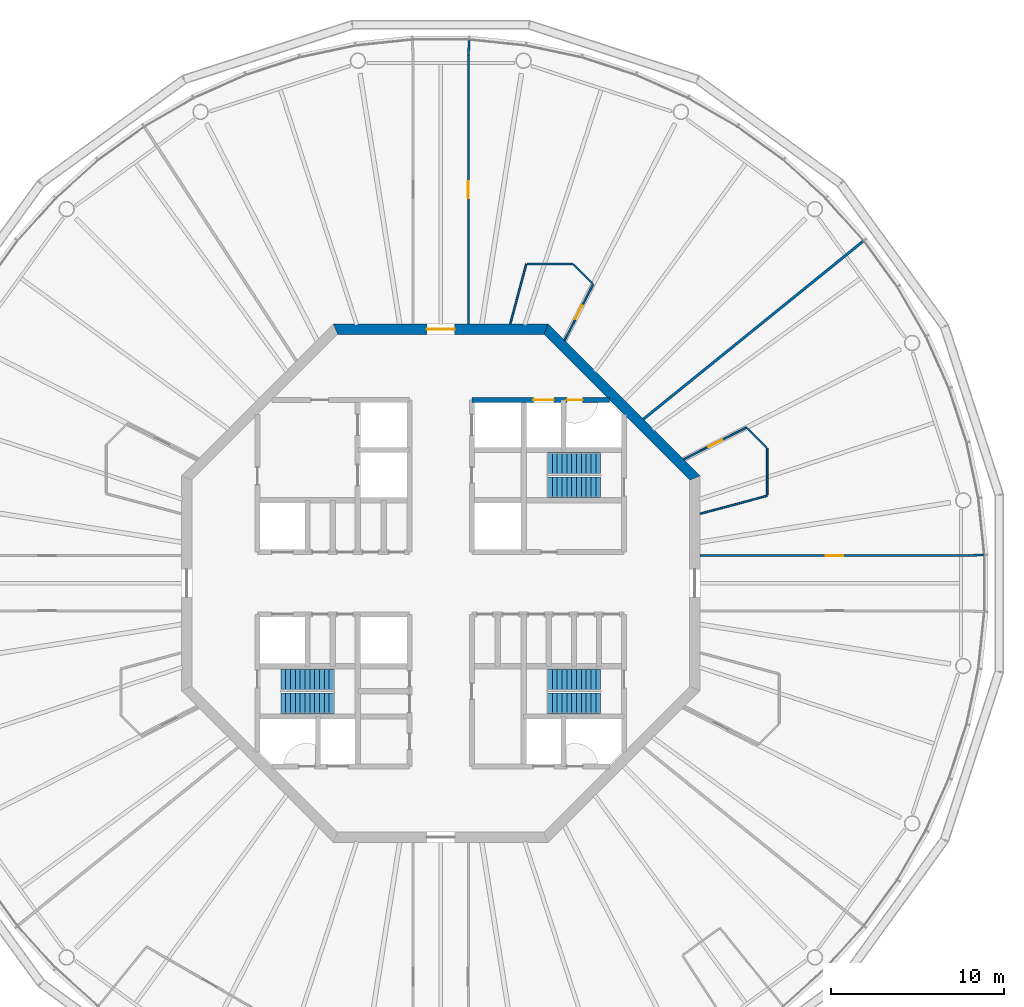
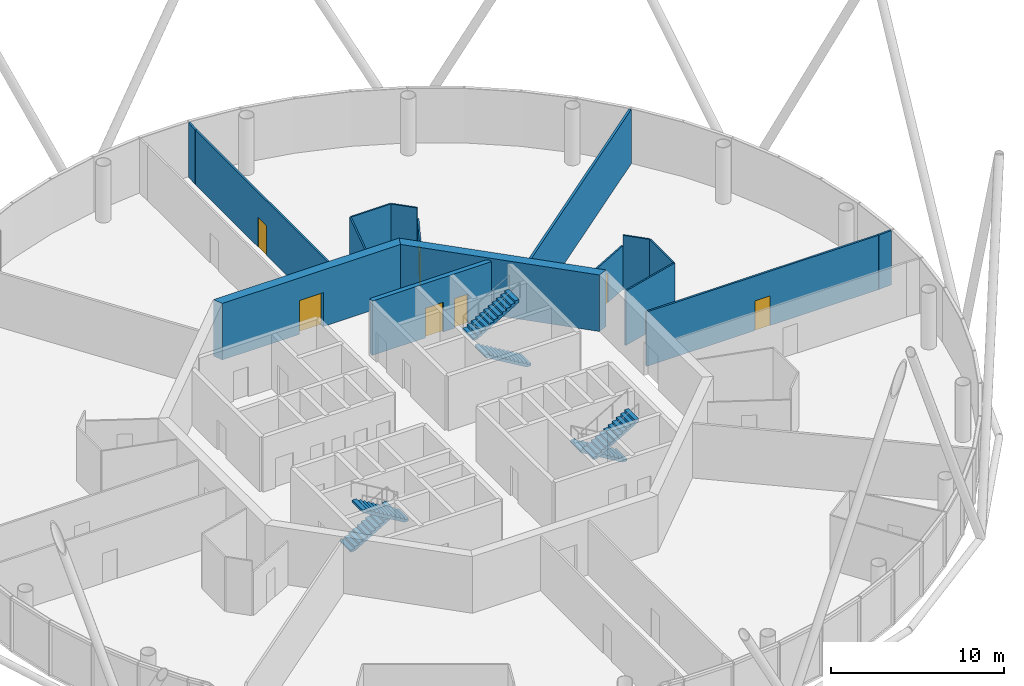
# One storey, part 6 of 13: 16 walls, 7 doors, 6 stair flights, 7 openings, 3 elements without a shape of their own.
"""IFC4 building model written with IfcOpenShell, lengths in metres."""

from ifc_helpers import new_model, si_unit, direction, frame, frame_2d, origin, place, context, subcontext, project, spatial, polyline, rectangle, outline, extrude, material, layer, layer_set, type_object, element, fill, aggregate, save


model = new_model("IFC4")

# Units and contexts
model_context = context("Model", 3, precision=1e-05, world=origin(), true_north=direction((0.0, 1.0)))
body_context = subcontext(model_context, "Body", "Model", "MODEL_VIEW")
ifc_project = project(units=[si_unit("LENGTHUNIT", "METRE"), si_unit("AREAUNIT", "SQUARE_METRE"), si_unit("VOLUMEUNIT", "CUBIC_METRE"), si_unit("PLANEANGLEUNIT", "RADIAN"), si_unit("MASSUNIT", "GRAM", prefix="KILO")], contexts=[model_context])

# Site, building, storey
site_placement = place(None, origin())
site = spatial("IfcSite", under=ifc_project, at=site_placement, CompositionType="ELEMENT")
building_placement = place(site_placement, origin())
building = spatial("IfcBuilding", under=site, at=building_placement, Name="Entoto Ring Tower", CompositionType="ELEMENT")
storey_placement = place(building_placement, frame((0.0, 0.0, 336.0)))
storey = spatial("IfcBuildingStorey", under=building, at=storey_placement, Name="L77", CompositionType="ELEMENT", Elevation=336.0)

# Wall, openings, doors
ifc_material_1 = material(Name="Concrete C40/50", Category="concrete")
ifc_layer_1 = layer(ifc_material_1, 0.300048828125)
ifc_layer_set_1 = layer_set([ifc_layer_1], Name="Concrete C40/50")
wall_type_1 = type_object("IfcWallType", Name="Core enclosure wall 300 mm reinforced concrete", PredefinedType="SOLIDWALL", material=ifc_layer_set_1)
wall_1_placement = place(storey_placement, frame((91.800048828125, 90.60009765625, 0.0), z_axis=(0.0, 0.0, 1.0), x_axis=(1.0, 0.0, 0.0)))
wall_1 = element("IfcWall", 1, at=wall_1_placement, inside=storey, type_object=wall_type_1, Name="wall-L77-041", PredefinedType="SOLIDWALL", context=body_context, shape_type="SweptSolid", body=[
    extrude(rectangle(XDim=7.964599609375, YDim=0.300048828125, at=frame_2d((3.982421875, 0.0))), origin(), (0.0, 0.0, 1.0), 3.85009765625),
])
opening_1_placement = place(wall_1_placement, frame((3.550048828125, 0.0, 0.0)))
opening_1 = element("IfcOpeningElement", 2, at=opening_1_placement, cuts=wall_1, Name="Opening LD", PredefinedType="OPENING", context=body_context, shape_type="SweptSolid", body=[
    extrude(rectangle(XDim=1.199951171875, YDim=2.10009765625, at=frame_2d((0.60009765625, 1.050048828125))), frame((0.0, 0.16015625, 0.0), z_axis=(0.0, -1.0, 0.0), x_axis=(1.0, 0.0, 0.0)), (0.0, 0.0, 1.0), 0.320068359375),
])
opening_2_placement = place(wall_1_placement, frame((5.5, 0.0, 0.0)))
opening_2 = element("IfcOpeningElement", 3, at=opening_2_placement, cuts=wall_1, Name="Opening K-32", PredefinedType="OPENING", context=body_context, shape_type="SweptSolid", body=[
    extrude(rectangle(XDim=0.89990234375, YDim=2.10009765625, at=frame_2d((0.449951171875, 1.050048828125))), frame((0.0, 0.16015625, 0.0), z_axis=(0.0, -1.0, 0.0), x_axis=(1.0, 0.0, 0.0)), (0.0, 0.0, 1.0), 0.320068359375),
])
ifc_material_2 = material(Name="Steel and glass door leaf", Category="steel")
ifc_layer_2 = layer(ifc_material_2, 0.050048828125)
ifc_layer_set_2 = layer_set([ifc_layer_2], Name="Steel and glass door leaf")
door_type_1 = type_object("IfcDoorType", Name="Landing door 1200 x 2100 sliding", OperationType="DOUBLE_DOOR_SLIDING", PredefinedType="DOOR", material=ifc_layer_set_2)
door_1_placement = place(opening_1_placement, origin())
door_1 = element("IfcDoor", 4, at=door_1_placement, inside=storey, type_object=door_type_1, Name="Landing door LB1-HR", OperationType="SLIDING_TO_RIGHT", OverallHeight=2.10009765625, OverallWidth=1.199951171875, PredefinedType="DOOR", context=body_context, shape_type="SweptSolid", body=[
    extrude(rectangle(XDim=1.199951171875, YDim=2.10009765625, at=frame_2d((0.60009765625, 1.050048828125))), frame((0.0, 0.02490234375, 0.0), z_axis=(0.0, -1.0, 0.0), x_axis=(1.0, 0.0, 0.0)), (0.0, 0.0, 1.0), 0.050048828125),
])
fill(opening_1, door_1)
ifc_material_3 = material(Name="Steel door leaf, fire rated", Category="steel")
ifc_layer_3 = layer(ifc_material_3, 0.050048828125)
ifc_layer_set_3 = layer_set([ifc_layer_3], Name="Steel door leaf, fire rated")
door_type_2 = type_object("IfcDoorType", Name="Riser door FD60 900 x 2100 single leaf", OperationType="NOTDEFINED", PredefinedType="DOOR", material=ifc_layer_set_3)
door_2_placement = place(opening_2_placement, frame((0.89990234375, 0.0, 0.0), z_axis=(0.0, 0.0, 1.0), x_axis=(-1.0, 0.0, 0.0)))
door_2 = element("IfcDoor", 5, at=door_2_placement, inside=storey, type_object=door_type_2, Name="Door K-32", OperationType="SINGLE_SWING_RIGHT", OverallHeight=2.10009765625, OverallWidth=0.89990234375, PredefinedType="DOOR", context=body_context, shape_type="SweptSolid", body=[
    extrude(rectangle(XDim=0.89990234375, YDim=2.10009765625, at=frame_2d((0.449951171875, 1.050048828125))), frame((0.0, 0.02490234375, 0.0), z_axis=(0.0, -1.0, 0.0), x_axis=(1.0, 0.0, 0.0)), (0.0, 0.0, 1.0), 0.050048828125),
])
fill(opening_2, door_2)

# Wall
ifc_material_4 = material(Name="Concrete C40/50", Category="concrete")
ifc_layer_4 = layer(ifc_material_4, 0.60009765625)
ifc_layer_set_4 = layer_set([ifc_layer_4], Name="Concrete C40/50")
wall_type_2 = type_object("IfcWallType", Name="Core shear wall 600 mm reinforced concrete C40/50", PredefinedType="SHEAR", material=ifc_layer_set_4)
wall_2_placement = place(storey_placement, frame((104.699951171875, 86.0888671875, 0.0), z_axis=(0.0, 0.0, 1.0), x_axis=(-0.707106781187, 0.707106781187, 0.0)))
element("IfcWall", 6, at=wall_2_placement, inside=storey, type_object=wall_type_2, Name="wall-L77-core-1", PredefinedType="SHEAR", context=body_context, shape_type="SweptSolid", body=[
    extrude(outline(polyline([(-0.124267578125, -0.300048828125), (12.30224609375, -0.300048828125), (12.0537109375, 0.300048828125), (0.124267578125, 0.300048828125), (-0.124267578125, -0.300048828125)])), origin(), (0.0, 0.0, 1.0), 4.0),
])

# Wall, opening, door
wall_3_placement = place(storey_placement, frame((96.0888671875, 94.699951171875, 0.0), z_axis=(0.0, 0.0, 1.0), x_axis=(-1.0, 0.0, 0.0)))
wall_3 = element("IfcWall", 7, at=wall_3_placement, inside=storey, type_object=wall_type_2, Name="wall-L77-core-2", PredefinedType="SHEAR", context=body_context, shape_type="SweptSolid", body=[
    extrude(outline(polyline([(-0.124267578125, -0.300048828125), (12.302001953125, -0.300048828125), (12.053466796875, 0.300048828125), (0.124267578125, 0.300048828125), (-0.124267578125, -0.300048828125)])), origin(), (0.0, 0.0, 1.0), 4.0),
])
opening_3_placement = place(wall_3_placement, frame((5.288818359375, 0.0, 0.0)))
opening_3 = element("IfcOpeningElement", 8, at=opening_3_placement, cuts=wall_3, Name="Opening K-02", PredefinedType="OPENING", context=body_context, shape_type="SweptSolid", body=[
    extrude(rectangle(XDim=1.60009765625, YDim=2.39990234375, at=frame_2d((0.800048828125, 1.199951171875))), frame((0.0, 0.31005859375, 0.0), z_axis=(0.0, -1.0, 0.0), x_axis=(1.0, 0.0, 0.0)), (0.0, 0.0, 1.0), 0.6201171875),
])
ifc_material_5 = material(Name="Steel door leaf, fire rated", Category="steel")
ifc_layer_5 = layer(ifc_material_5, 0.050048828125)
ifc_layer_set_5 = layer_set([ifc_layer_5], Name="Steel door leaf, fire rated")
door_type_3 = type_object("IfcDoorType", Name="Entrance door FD60 1600 x 2400 double leaf", OperationType="DOUBLE_DOOR_SINGLE_SWING", PredefinedType="DOOR", material=ifc_layer_set_5)
door_3_placement = place(opening_3_placement, origin())
door_3 = element("IfcDoor", 9, at=door_3_placement, inside=storey, type_object=door_type_3, Name="Entrance door K-02", OperationType="DOUBLE_DOOR_SINGLE_SWING", OverallHeight=2.39990234375, OverallWidth=1.60009765625, PredefinedType="DOOR", context=body_context, shape_type="SweptSolid", body=[
    extrude(rectangle(XDim=1.60009765625, YDim=2.39990234375, at=frame_2d((0.800048828125, 1.199951171875))), frame((0.0, 0.02490234375, 0.0), z_axis=(0.0, -1.0, 0.0), x_axis=(1.0, 0.0, 0.0)), (0.0, 0.0, 1.0), 0.050048828125),
])
fill(opening_3, door_3)

ifc_material_6 = material(Name="Fire-resisting plasterboard on steel studs", Category="steel")
ifc_layer_6 = layer(ifc_material_6, 0.125)
ifc_layer_set_6 = layer_set([ifc_layer_6], Name="Fire-resisting plasterboard on steel studs")
wall_type_3 = type_object("IfcWallType", Name="Corridor wall 125 mm one-hour plasterboard on steel studs", PredefinedType="PARTITIONING", material=ifc_layer_set_6)
wall_4_placement = place(storey_placement, frame((91.60009765625, 95.0, 0.0), z_axis=(0.0, 0.0, 1.0), x_axis=(0.0, 1.0, 0.0)))
wall_4 = element("IfcWall", 10, at=wall_4_placement, inside=storey, type_object=wall_type_3, Name="partition-L77-006", PredefinedType="PARTITIONING", context=body_context, shape_type="SweptSolid", body=[
    extrude(rectangle(XDim=15.52978515625, YDim=0.125, at=frame_2d((7.764892578125, 0.0))), origin(), (0.0, 0.0, 1.0), 3.85009765625),
])
opening_4_placement = place(wall_4_placement, frame((7.264892578125, 0.0, 0.0)))
opening_4 = element("IfcOpeningElement", 11, at=opening_4_placement, cuts=wall_4, Name="Opening A34-D03", PredefinedType="OPENING", context=body_context, shape_type="SweptSolid", body=[
    extrude(rectangle(XDim=1.0, YDim=2.10009765625, at=frame_2d((0.5, 1.050048828125))), frame((0.0, 0.072509765625, 0.0), z_axis=(0.0, -1.0, 0.0), x_axis=(1.0, 0.0, 0.0)), (0.0, 0.0, 1.0), 0.14501953125),
])
ifc_material_7 = material(Name="Fire-resisting timber door set", Category="wood")
door_type_4 = type_object("IfcDoorType", Name="Door 1000 x 2100 single leaf FD30S fire door", OperationType="NOTDEFINED", PredefinedType="DOOR", material=ifc_material_7)
door_4_placement = place(opening_4_placement, frame((1.0, 0.0, 0.0), z_axis=(0.0, 0.0, 1.0), x_axis=(-1.0, 0.0, 0.0)))
door_4 = element("IfcDoor", 12, at=door_4_placement, inside=storey, type_object=door_type_4, Name="Door A34-D03", OperationType="SINGLE_SWING_RIGHT", OverallHeight=2.10009765625, OverallWidth=1.0, PredefinedType="DOOR", context=body_context, shape_type="SweptSolid", body=[
    extrude(rectangle(XDim=1.0, YDim=2.10009765625, at=frame_2d((0.5, 1.050048828125))), frame((0.0, 0.02490234375, 0.0), z_axis=(0.0, -1.0, 0.0), x_axis=(1.0, 0.0, 0.0)), (0.0, 0.0, 1.0), 0.050048828125),
])
fill(opening_4, door_4)

wall_5_placement = place(storey_placement, frame((105.0, 81.60009765625, 0.0), z_axis=(0.0, 0.0, 1.0), x_axis=(1.0, 0.0, 0.0)))
wall_5 = element("IfcWall", 13, at=wall_5_placement, inside=storey, type_object=wall_type_3, Name="partition-L77-008", PredefinedType="PARTITIONING", context=body_context, shape_type="SweptSolid", body=[
    extrude(rectangle(XDim=15.52978515625, YDim=0.125, at=frame_2d((7.764892578125, 0.0))), origin(), (0.0, 0.0, 1.0), 3.85009765625),
])
opening_5_placement = place(wall_5_placement, frame((7.264892578125, 0.0, 0.0)))
opening_5 = element("IfcOpeningElement", 14, at=opening_5_placement, cuts=wall_5, Name="Opening A34-D01", PredefinedType="OPENING", context=body_context, shape_type="SweptSolid", body=[
    extrude(rectangle(XDim=1.0, YDim=2.10009765625, at=frame_2d((0.5, 1.050048828125))), frame((0.0, 0.072509765625, 0.0), z_axis=(0.0, -1.0, 0.0), x_axis=(1.0, 0.0, 0.0)), (0.0, 0.0, 1.0), 0.14501953125),
])
door_5_placement = place(opening_5_placement, origin())
door_5 = element("IfcDoor", 15, at=door_5_placement, inside=storey, type_object=door_type_4, Name="Door A34-D01", OperationType="SINGLE_SWING_LEFT", OverallHeight=2.10009765625, OverallWidth=1.0, PredefinedType="DOOR", context=body_context, shape_type="SweptSolid", body=[
    extrude(rectangle(XDim=1.0, YDim=2.10009765625, at=frame_2d((0.5, 1.050048828125))), frame((0.0, 0.02490234375, 0.0), z_axis=(0.0, -1.0, 0.0), x_axis=(1.0, 0.0, 0.0)), (0.0, 0.0, 1.0), 0.050048828125),
])
fill(opening_5, door_5)

# Walls
for number, where, z_axis, x_axis, name in (
    (16, (91.60009765625, 110.533203125, 0.0), (0.0, 0.0, 1.0), (0.052499574911, 0.998620946423, 0.0), "partition-L77-013"),
    (17, (120.533203125, 81.60009765625, 0.0), (0.0, 0.0, 1.0), (0.998620946423, 0.052499574911, 0.0), "partition-L77-015"),
):
    element("IfcWall", number, at=place(storey_placement, frame(where, z_axis=z_axis, x_axis=x_axis)), inside=storey, type_object=wall_type_3, Name=name, PredefinedType="PARTITIONING", context=body_context, shape_type="SweptSolid", body=[
        extrude(rectangle(XDim=0.864990234375, YDim=0.125, at=frame_2d((0.4326171875, 0.0))), origin(), (0.0, 0.0, 1.0), 3.85009765625),
    ])
ifc_material_8 = material(Name="Plasterboard on steel studs", Category="steel")
ifc_layer_7 = layer(ifc_material_8, 0.10009765625)
ifc_layer_set_7 = layer_set([ifc_layer_7], Name="Plasterboard on steel studs")
wall_type_4 = type_object("IfcWallType", Name="Partition 100 mm plasterboard on steel studs", PredefinedType="PARTITIONING", material=ifc_layer_set_7)
wall_6_placement = place(storey_placement, frame((105.0, 84.019287109375, 0.0), z_axis=(0.0, 0.0, 1.0), x_axis=(0.965929603202, 0.258804949058, 0.0)))
element("IfcWall", 18, at=wall_6_placement, inside=storey, type_object=wall_type_4, Name="partition-L77-031", PredefinedType="PARTITIONING", context=body_context, shape_type="SweptSolid", body=[
    extrude(rectangle(XDim=4.016845703125, YDim=0.10009765625, at=frame_2d((2.00830078125, 0.0))), origin(), (0.0, 0.0, 1.0), 3.85009765625),
])
wall_7_placement = place(storey_placement, frame((94.019287109375, 95.0, 0.0), z_axis=(0.0, 0.0, 1.0), x_axis=(0.258795137252, 0.965932232061, 0.0)))
element("IfcWall", 19, at=wall_7_placement, inside=storey, type_object=wall_type_4, Name="partition-L77-035", PredefinedType="PARTITIONING", context=body_context, shape_type="SweptSolid", body=[
    extrude(rectangle(XDim=3.58203125, YDim=0.10009765625, at=frame_2d((1.791015625, 0.0))), origin(), (0.0, 0.0, 1.0), 3.85009765625),
])
wall_8_placement = place(storey_placement, frame((108.8798828125, 85.107177734375, 0.0), z_axis=(0.0, 0.0, 1.0), x_axis=(0.0, 1.0, 0.0)))
element("IfcWall", 20, at=wall_8_placement, inside=storey, type_object=wall_type_4, Name="partition-L77-038", PredefinedType="PARTITIONING", context=body_context, shape_type="SweptSolid", body=[
    extrude(rectangle(XDim=2.713134765625, YDim=0.10009765625, at=frame_2d((1.3564453125, 0.0))), origin(), (0.0, 0.0, 1.0), 3.85009765625),
])
wall_9_placement = place(storey_placement, frame((94.994384765625, 98.4599609375, 0.0), z_axis=(0.0, 0.0, 1.0), x_axis=(1.0, 0.0, 0.0)))
element("IfcWall", 21, at=wall_9_placement, inside=storey, type_object=wall_type_4, Name="partition-L77-040", PredefinedType="PARTITIONING", context=body_context, shape_type="SweptSolid", body=[
    extrude(rectangle(XDim=2.652099609375, YDim=0.10009765625, at=frame_2d((1.326171875, 0.0))), origin(), (0.0, 0.0, 1.0), 3.85009765625),
])
wall_10_placement = place(storey_placement, frame((108.855224609375, 87.84521484375, 0.0), z_axis=(0.0, 0.0, 1.0), x_axis=(-0.707106781187, 0.707106781187, 0.0)))
element("IfcWall", 22, at=wall_10_placement, inside=storey, type_object=wall_type_4, Name="partition-L77-044", PredefinedType="PARTITIONING", context=body_context, shape_type="SweptSolid", body=[
    extrude(rectangle(XDim=1.603515625, YDim=0.10009765625, at=frame_2d((0.8017578125, 0.0))), origin(), (0.0, 0.0, 1.0), 3.85009765625),
])
wall_11_placement = place(storey_placement, frame((98.7783203125, 97.327880859375, 0.0), z_axis=(0.0, 0.0, 1.0), x_axis=(-0.707028824428, 0.707184729351, 0.0)))
element("IfcWall", 23, at=wall_11_placement, inside=storey, type_object=wall_type_4, Name="partition-L77-046", PredefinedType="PARTITIONING", context=body_context, shape_type="SweptSolid", body=[
    extrude(rectangle(XDim=1.56591796875, YDim=0.10009765625, at=frame_2d((0.782958984375, 0.0))), origin(), (0.0, 0.0, 1.0), 3.85009765625),
])

# Wall, opening, door
ifc_material_9 = material(Name="Plasterboard on steel studs", Category="steel")
ifc_layer_8 = layer(ifc_material_9, 0.10009765625)
ifc_layer_set_8 = layer_set([ifc_layer_8], Name="Plasterboard on steel studs")
wall_type_5 = type_object("IfcWallType", Name="Partition 100 mm plasterboard on steel studs, 3097 mm high", PredefinedType="PARTITIONING", material=ifc_layer_set_8)
wall_12_placement = place(storey_placement, frame((104.052978515625, 87.160400390625, 0.0), z_axis=(0.0, 0.0, 1.0), x_axis=(0.891014377336, 0.45397508674, 0.0)))
wall_12 = element("IfcWall", 24, at=wall_12_placement, inside=storey, type_object=wall_type_5, Name="partition-L77-030", PredefinedType="PARTITIONING", context=body_context, shape_type="SweptSolid", body=[
    extrude(rectangle(XDim=4.07958984375, YDim=0.10009765625, at=frame_2d((2.039794921875, 0.0))), origin(), (0.0, 0.0, 1.0), 3.096923828125),
])
opening_6_placement = place(wall_12_placement, frame((1.58984375, 0.0, 0.0)))
opening_6 = element("IfcOpeningElement", 25, at=opening_6_placement, cuts=wall_12, Name="Opening A34-D02", PredefinedType="OPENING", context=body_context, shape_type="SweptSolid", body=[
    extrude(rectangle(XDim=0.89990234375, YDim=2.10009765625, at=frame_2d((0.449951171875, 1.050048828125))), frame((0.0, 0.06005859375, 0.0), z_axis=(0.0, -1.0, 0.0), x_axis=(1.0, 0.0, 0.0)), (0.0, 0.0, 1.0), 0.1201171875),
])
ifc_material_10 = material(Name="Veneered timber door leaf in timber frame", Category="wood")
door_type_5 = type_object("IfcDoorType", Name="Door 900 x 2100 single leaf timber veneer", OperationType="NOTDEFINED", PredefinedType="DOOR", material=ifc_material_10)
door_6_placement = place(opening_6_placement, frame((0.89990234375, 0.0, 0.0), z_axis=(0.0, 0.0, 1.0), x_axis=(-1.0, 0.0, 0.0)))
door_6 = element("IfcDoor", 26, at=door_6_placement, inside=storey, type_object=door_type_5, Name="Door A34-D02", OperationType="SINGLE_SWING_RIGHT", OverallHeight=2.10009765625, OverallWidth=0.89990234375, PredefinedType="DOOR", context=body_context, shape_type="SweptSolid", body=[
    extrude(rectangle(XDim=0.89990234375, YDim=2.10009765625, at=frame_2d((0.449951171875, 1.050048828125))), frame((0.0, 0.02490234375, 0.0), z_axis=(0.0, -1.0, 0.0), x_axis=(1.0, 0.0, 0.0)), (0.0, 0.0, 1.0), 0.050048828125),
])
fill(opening_6, door_6)

wall_13_placement = place(storey_placement, frame((97.160400390625, 94.052978515625, 0.0), z_axis=(0.0, 0.0, 1.0), x_axis=(0.453992130401, 0.891005693323, 0.0)))
wall_13 = element("IfcWall", 27, at=wall_13_placement, inside=storey, type_object=wall_type_5, Name="partition-L77-033", PredefinedType="PARTITIONING", context=body_context, shape_type="SweptSolid", body=[
    extrude(rectangle(XDim=3.637939453125, YDim=0.10009765625, at=frame_2d((1.81884765625, 0.0))), origin(), (0.0, 0.0, 1.0), 3.096923828125),
])
opening_7_placement = place(wall_13_placement, frame((1.368896484375, 0.0, 0.0)))
opening_7 = element("IfcOpeningElement", 28, at=opening_7_placement, cuts=wall_13, Name="Opening A34-D04", PredefinedType="OPENING", context=body_context, shape_type="SweptSolid", body=[
    extrude(rectangle(XDim=0.89990234375, YDim=2.10009765625, at=frame_2d((0.449951171875, 1.050048828125))), frame((0.0, 0.06005859375, 0.0), z_axis=(0.0, -1.0, 0.0), x_axis=(1.0, 0.0, 0.0)), (0.0, 0.0, 1.0), 0.1201171875),
])
door_7_placement = place(opening_7_placement, origin())
door_7 = element("IfcDoor", 29, at=door_7_placement, inside=storey, type_object=door_type_5, Name="Door A34-D04", OperationType="SINGLE_SWING_LEFT", OverallHeight=2.10009765625, OverallWidth=0.89990234375, PredefinedType="DOOR", context=body_context, shape_type="SweptSolid", body=[
    extrude(rectangle(XDim=0.89990234375, YDim=2.10009765625, at=frame_2d((0.449951171875, 1.050048828125))), frame((0.0, 0.02490234375, 0.0), z_axis=(0.0, -1.0, 0.0), x_axis=(1.0, 0.0, 0.0)), (0.0, 0.0, 1.0), 0.050048828125),
])
fill(opening_7, door_7)

# Wall
ifc_material_11 = material(Name="Fire-resisting acoustic plasterboard on steel studs", Category="steel")
ifc_layer_9 = layer(ifc_material_11, 0.14990234375)
ifc_layer_set_9 = layer_set([ifc_layer_9], Name="Fire-resisting acoustic plasterboard on steel studs")
wall_type_6 = type_object("IfcWallType", Name="Party wall 150 mm one-hour acoustic plasterboard on steel studs", PredefinedType="PARTITIONING", material=ifc_layer_set_9)
wall_14_placement = place(storey_placement, frame((101.721435546875, 89.49169921875, 0.0), z_axis=(0.0, 0.0, 1.0), x_axis=(0.777143368827, 0.629323592667, 0.0)))
element("IfcWall", 30, at=wall_14_placement, inside=storey, type_object=wall_type_6, Name="partition-L77-018", PredefinedType="PARTITIONING", context=body_context, shape_type="SweptSolid", body=[
    extrude(rectangle(XDim=16.357666015625, YDim=0.14990234375, at=frame_2d((8.1787109375, 0.0))), origin(), (0.0, 0.0, 1.0), 3.85009765625),
])

# Stair, stair flights
ifc_material_12 = material(Name="Concrete C40/50", Category="concrete")
stair_type = type_object("IfcStairType", Name="Exit stair 1200 mm dog-leg reinforced concrete", PredefinedType="HALF_TURN_STAIR", material=ifc_material_12)
stair_1_placement = place(storey_placement, origin())
stair_1 = element("IfcStair", 31, at=stair_1_placement, inside=storey, type_object=stair_type, Name="Exit stair 1", PredefinedType="HALF_TURN_STAIR")
ifc_material_13 = material(Name="Concrete C40/50", Category="concrete")
stair_flight_type = type_object("IfcStairFlightType", Name="Stair flight 1200 mm reinforced concrete", PredefinedType="STRAIGHT", material=ifc_material_13)
stair_flight_1_placement = place(storey_placement, frame((99.25, 85.550048828125, 0.0), z_axis=(0.0, 0.0, 1.0), x_axis=(-1.0, 0.0, 0.0)))
stair_flight_1 = element("IfcStairFlight", 32, at=stair_flight_1_placement, type_object=stair_flight_type, Name="ST1 flight 1", NumberOfRisers=12, NumberOfTreads=11, PredefinedType="STRAIGHT", RiserHeight=0.166666667, TreadLength=0.28, context=body_context, shape_type="SweptSolid", body=[
    extrude(outline(polyline([(0.0, 0.0), (0.0, 0.166748046875), (0.280029296875, 0.166748046875), (0.280029296875, 0.333251953125), (0.56005859375, 0.333251953125), (0.56005859375, 0.5), (0.840087890625, 0.5), (0.840087890625, 0.666748046875), (1.1201171875, 0.666748046875), (1.1201171875, 0.833251953125), (1.39990234375, 0.833251953125), (1.39990234375, 1.0), (1.679931640625, 1.0), (1.679931640625, 1.166748046875), (1.9599609375, 1.166748046875), (1.9599609375, 1.333251953125), (2.239990234375, 1.333251953125), (2.239990234375, 1.5), (2.52001953125, 1.5), (2.52001953125, 1.666748046875), (2.800048828125, 1.666748046875), (2.800048828125, 1.833251953125), (3.080078125, 1.833251953125), (3.080078125, 2.0), (3.080078125, 1.658935546875), (0.29296875, 0.0), (0.0, 0.0)])), frame((0.0, 0.60009765625, 0.0), z_axis=(0.0, -1.0, 0.0), x_axis=(1.0, 0.0, 0.0)), (0.0, 0.0, 1.0), 1.199951171875),
])
stair_flight_2_placement = place(storey_placement, frame((96.169921875, 86.949951171875, 2.0), z_axis=(0.0, 0.0, 1.0), x_axis=(1.0, 0.0, 0.0)))
stair_flight_2 = element("IfcStairFlight", 33, at=stair_flight_2_placement, type_object=stair_flight_type, Name="ST1 flight 2", NumberOfRisers=12, NumberOfTreads=11, PredefinedType="STRAIGHT", RiserHeight=0.166666667, TreadLength=0.28, context=body_context, shape_type="SweptSolid", body=[
    extrude(outline(polyline([(0.0, 0.0), (0.0, 0.166748046875), (0.280029296875, 0.166748046875), (0.280029296875, 0.333251953125), (0.56005859375, 0.333251953125), (0.56005859375, 0.5), (0.840087890625, 0.5), (0.840087890625, 0.666748046875), (1.1201171875, 0.666748046875), (1.1201171875, 0.833251953125), (1.39990234375, 0.833251953125), (1.39990234375, 1.0), (1.679931640625, 1.0), (1.679931640625, 1.166748046875), (1.9599609375, 1.166748046875), (1.9599609375, 1.333251953125), (2.239990234375, 1.333251953125), (2.239990234375, 1.5), (2.52001953125, 1.5), (2.52001953125, 1.666748046875), (2.800048828125, 1.666748046875), (2.800048828125, 1.833251953125), (3.080078125, 1.833251953125), (3.080078125, 2.0), (3.080078125, 1.658935546875), (0.29296875, 0.0), (0.0, 0.0)])), frame((0.0, 0.60009765625, 0.0), z_axis=(0.0, -1.0, 0.0), x_axis=(1.0, 0.0, 0.0)), (0.0, 0.0, 1.0), 1.199951171875),
])
aggregate(stair_1, [stair_flight_1, stair_flight_2])

stair_2_placement = place(storey_placement, origin())
stair_2 = element("IfcStair", 34, at=stair_2_placement, inside=storey, type_object=stair_type, Name="Exit stair 2", PredefinedType="HALF_TURN_STAIR")
stair_flight_3_placement = place(storey_placement, frame((80.75, 74.449951171875, 0.0), z_axis=(0.0, 0.0, 1.0), x_axis=(1.0, 0.0, 0.0)))
stair_flight_3 = element("IfcStairFlight", 35, at=stair_flight_3_placement, type_object=stair_flight_type, Name="ST2 flight 1", NumberOfRisers=12, NumberOfTreads=11, PredefinedType="STRAIGHT", RiserHeight=0.166666667, TreadLength=0.28, context=body_context, shape_type="SweptSolid", body=[
    extrude(outline(polyline([(0.0, 0.0), (0.0, 0.166748046875), (0.280029296875, 0.166748046875), (0.280029296875, 0.333251953125), (0.56005859375, 0.333251953125), (0.56005859375, 0.5), (0.840087890625, 0.5), (0.840087890625, 0.666748046875), (1.1201171875, 0.666748046875), (1.1201171875, 0.833251953125), (1.39990234375, 0.833251953125), (1.39990234375, 1.0), (1.679931640625, 1.0), (1.679931640625, 1.166748046875), (1.9599609375, 1.166748046875), (1.9599609375, 1.333251953125), (2.239990234375, 1.333251953125), (2.239990234375, 1.5), (2.52001953125, 1.5), (2.52001953125, 1.666748046875), (2.800048828125, 1.666748046875), (2.800048828125, 1.833251953125), (3.080078125, 1.833251953125), (3.080078125, 2.0), (3.080078125, 1.658935546875), (0.29296875, 0.0), (0.0, 0.0)])), frame((0.0, 0.60009765625, 0.0), z_axis=(0.0, -1.0, 0.0), x_axis=(1.0, 0.0, 0.0)), (0.0, 0.0, 1.0), 1.199951171875),
])
stair_flight_4_placement = place(storey_placement, frame((83.830078125, 73.050048828125, 2.0), z_axis=(0.0, 0.0, 1.0), x_axis=(-1.0, 0.0, 0.0)))
stair_flight_4 = element("IfcStairFlight", 36, at=stair_flight_4_placement, type_object=stair_flight_type, Name="ST2 flight 2", NumberOfRisers=12, NumberOfTreads=11, PredefinedType="STRAIGHT", RiserHeight=0.166666667, TreadLength=0.28, context=body_context, shape_type="SweptSolid", body=[
    extrude(outline(polyline([(0.0, 0.0), (0.0, 0.166748046875), (0.280029296875, 0.166748046875), (0.280029296875, 0.333251953125), (0.56005859375, 0.333251953125), (0.56005859375, 0.5), (0.840087890625, 0.5), (0.840087890625, 0.666748046875), (1.1201171875, 0.666748046875), (1.1201171875, 0.833251953125), (1.39990234375, 0.833251953125), (1.39990234375, 1.0), (1.679931640625, 1.0), (1.679931640625, 1.166748046875), (1.9599609375, 1.166748046875), (1.9599609375, 1.333251953125), (2.239990234375, 1.333251953125), (2.239990234375, 1.5), (2.52001953125, 1.5), (2.52001953125, 1.666748046875), (2.800048828125, 1.666748046875), (2.800048828125, 1.833251953125), (3.080078125, 1.833251953125), (3.080078125, 2.0), (3.080078125, 1.658935546875), (0.29296875, 0.0), (0.0, 0.0)])), frame((0.0, 0.60009765625, 0.0), z_axis=(0.0, -1.0, 0.0), x_axis=(1.0, 0.0, 0.0)), (0.0, 0.0, 1.0), 1.199951171875),
])
aggregate(stair_2, [stair_flight_3, stair_flight_4])

stair_3_placement = place(storey_placement, origin())
stair_3 = element("IfcStair", 37, at=stair_3_placement, inside=storey, type_object=stair_type, Name="Exit stair 3", PredefinedType="HALF_TURN_STAIR")
stair_flight_5_placement = place(storey_placement, frame((99.25, 74.449951171875, 0.0), z_axis=(0.0, 0.0, 1.0), x_axis=(-1.0, 0.0, 0.0)))
stair_flight_5 = element("IfcStairFlight", 38, at=stair_flight_5_placement, type_object=stair_flight_type, Name="ST3 flight 1", NumberOfRisers=12, NumberOfTreads=11, PredefinedType="STRAIGHT", RiserHeight=0.166666667, TreadLength=0.28, context=body_context, shape_type="SweptSolid", body=[
    extrude(outline(polyline([(0.0, 0.0), (0.0, 0.166748046875), (0.280029296875, 0.166748046875), (0.280029296875, 0.333251953125), (0.56005859375, 0.333251953125), (0.56005859375, 0.5), (0.840087890625, 0.5), (0.840087890625, 0.666748046875), (1.1201171875, 0.666748046875), (1.1201171875, 0.833251953125), (1.39990234375, 0.833251953125), (1.39990234375, 1.0), (1.679931640625, 1.0), (1.679931640625, 1.166748046875), (1.9599609375, 1.166748046875), (1.9599609375, 1.333251953125), (2.239990234375, 1.333251953125), (2.239990234375, 1.5), (2.52001953125, 1.5), (2.52001953125, 1.666748046875), (2.800048828125, 1.666748046875), (2.800048828125, 1.833251953125), (3.080078125, 1.833251953125), (3.080078125, 2.0), (3.080078125, 1.658935546875), (0.29296875, 0.0), (0.0, 0.0)])), frame((0.0, 0.60009765625, 0.0), z_axis=(0.0, -1.0, 0.0), x_axis=(1.0, 0.0, 0.0)), (0.0, 0.0, 1.0), 1.199951171875),
])
stair_flight_6_placement = place(storey_placement, frame((96.169921875, 73.050048828125, 2.0), z_axis=(0.0, 0.0, 1.0), x_axis=(1.0, 0.0, 0.0)))
stair_flight_6 = element("IfcStairFlight", 39, at=stair_flight_6_placement, type_object=stair_flight_type, Name="ST3 flight 2", NumberOfRisers=12, NumberOfTreads=11, PredefinedType="STRAIGHT", RiserHeight=0.166666667, TreadLength=0.28, context=body_context, shape_type="SweptSolid", body=[
    extrude(outline(polyline([(0.0, 0.0), (0.0, 0.166748046875), (0.280029296875, 0.166748046875), (0.280029296875, 0.333251953125), (0.56005859375, 0.333251953125), (0.56005859375, 0.5), (0.840087890625, 0.5), (0.840087890625, 0.666748046875), (1.1201171875, 0.666748046875), (1.1201171875, 0.833251953125), (1.39990234375, 0.833251953125), (1.39990234375, 1.0), (1.679931640625, 1.0), (1.679931640625, 1.166748046875), (1.9599609375, 1.166748046875), (1.9599609375, 1.333251953125), (2.239990234375, 1.333251953125), (2.239990234375, 1.5), (2.52001953125, 1.5), (2.52001953125, 1.666748046875), (2.800048828125, 1.666748046875), (2.800048828125, 1.833251953125), (3.080078125, 1.833251953125), (3.080078125, 2.0), (3.080078125, 1.658935546875), (0.29296875, 0.0), (0.0, 0.0)])), frame((0.0, 0.60009765625, 0.0), z_axis=(0.0, -1.0, 0.0), x_axis=(1.0, 0.0, 0.0)), (0.0, 0.0, 1.0), 1.199951171875),
])
aggregate(stair_3, [stair_flight_5, stair_flight_6])

save(model, "model.ifc")
